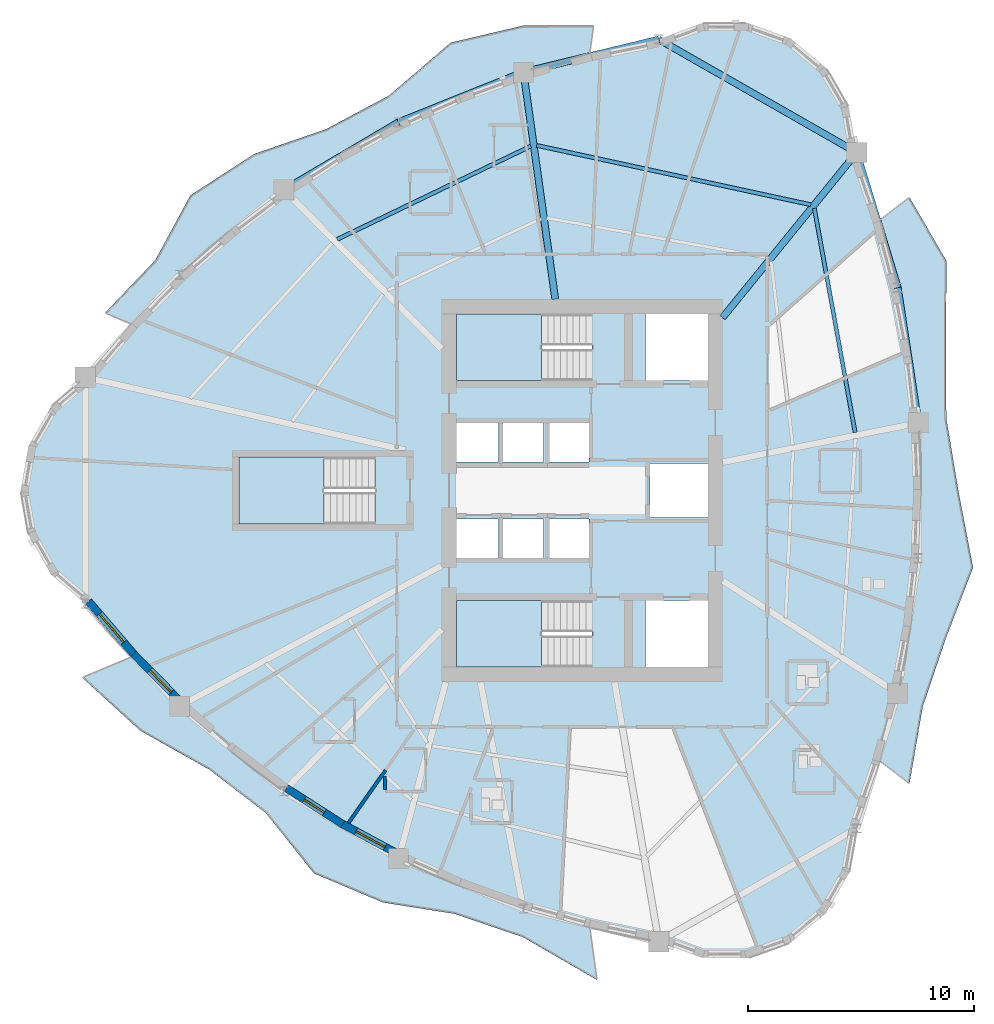
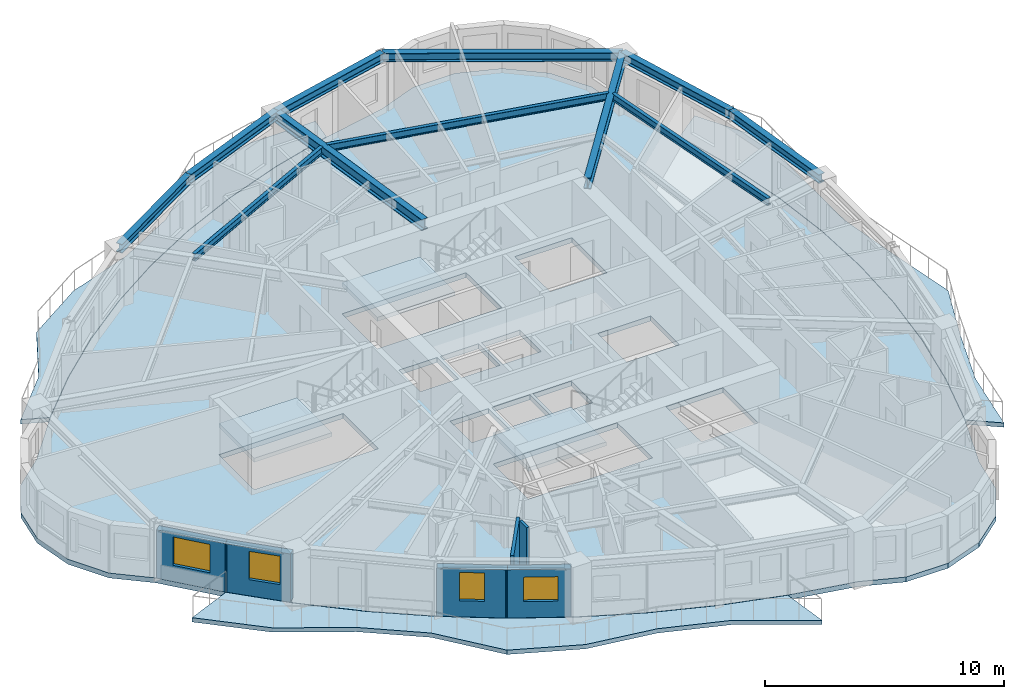
# One storey, part 2 of 13: 11 beams, 7 slabs, 6 walls, 4 windows, 4 openings, 3 elements without a shape of their own.
"""IFC4 building model written with IfcOpenShell, lengths in metres."""

from ifc_helpers import new_model, si_unit, direction, frame, frame_2d, origin, origin_2d, place, context, subcontext, project, spatial, polyline, rectangle, i_section, outline, extrude, source, transform, mapped, material, layer, layer_set, material_profile, profile_set, type_object, element, fill, aggregate, save


model = new_model("IFC4")

# Units and contexts
model_context = context("Model", 3, precision=1e-05, world=origin(), true_north=direction((0.0, 1.0)))
body_context = subcontext(model_context, "Body", "Model", "MODEL_VIEW")
ifc_project = project(units=[si_unit("LENGTHUNIT", "METRE"), si_unit("AREAUNIT", "SQUARE_METRE"), si_unit("VOLUMEUNIT", "CUBIC_METRE"), si_unit("PLANEANGLEUNIT", "RADIAN"), si_unit("MASSUNIT", "GRAM", prefix="KILO")], contexts=[model_context])

# Site, building, storey
site_placement = place(None, origin())
site = spatial("IfcSite", under=ifc_project, at=site_placement, CompositionType="ELEMENT")
building_placement = place(site_placement, origin())
building = spatial("IfcBuilding", under=site, at=building_placement, Name="Qafzar Sky-Pleat Residences", CompositionType="ELEMENT")
storey_placement = place(building_placement, frame((0.0, 0.0, 105.60009765625)))
storey = spatial("IfcBuildingStorey", under=building, at=storey_placement, Name="L31", CompositionType="ELEMENT", Elevation=105.60009765625)

# Beams
ifc_material_1 = material(Name="Steel S355", Category="steel")
ifc_material_profile_1 = material_profile(ifc_material_1, i_section(OverallWidth=0.300048828125, OverallDepth=0.449951171875, WebThickness=0.013916015625, FlangeThickness=0.02587890625, FilletRadius=0.027099609375, at=origin_2d()), Name="HEB 450")
ifc_profile_set_1 = profile_set([ifc_material_profile_1], Name="Steel S355")
beam_type_1 = type_object("IfcBeamType", Name="BM-SPAN-HEB450", PredefinedType="SPANDREL", material=ifc_profile_set_1)
shared_shape_1 = source(origin(), body_context, "Body", "SweptSolid", [
    extrude(i_section(OverallWidth=0.300048828125, OverallDepth=0.449951171875, WebThickness=0.013916015625, FlangeThickness=0.02587890625, FilletRadius=0.027099609375, at=origin_2d()), origin(), (0.0, 0.0, 1.0), 5.9443359375),
])
beam_1_placement = place(storey_placement, frame((27.761962890625, 44.473876953125, 2.7080078125), z_axis=(-0.927974486614, -0.372643733604, 0.0), x_axis=(0.372643733604, -0.927974486614, 0.0)))
element("IfcBeam", 1, at=beam_1_placement, inside=storey, type_object=beam_type_1, Name="L31 Perimeter Spandrel Beam 15", PredefinedType="SPANDREL", context=body_context, shape_type="MappedRepresentation", body=[
    mapped(shared_shape_1, transform((0.0, 0.0, 0.0), x_axis=(1.0, 0.0, 0.0), y_axis=(0.0, 1.0, 0.0), z_axis=(0.0, 0.0, 1.0), scale=1.0)),
])
shared_shape_2 = source(origin(), body_context, "Body", "SweptSolid", [
    extrude(i_section(OverallWidth=0.300048828125, OverallDepth=0.449951171875, WebThickness=0.013916015625, FlangeThickness=0.02587890625, FilletRadius=0.027099609375, at=origin_2d()), origin(), (0.0, 0.0, 1.0), 5.876708984375),
])
beam_2_placement = place(storey_placement, frame((22.245849609375, 42.2587890625, 2.7080078125), z_axis=(-0.861426491519, -0.507882269536, 0.0), x_axis=(0.507882269536, -0.861426491519, 0.0)))
element("IfcBeam", 2, at=beam_2_placement, inside=storey, type_object=beam_type_1, Name="L31 Perimeter Spandrel Beam 16", PredefinedType="SPANDREL", context=body_context, shape_type="MappedRepresentation", body=[
    mapped(shared_shape_2, transform((0.0, 0.0, 0.0), x_axis=(1.0, 0.0, 0.0), y_axis=(0.0, 1.0, 0.0), z_axis=(0.0, 0.0, 1.0), scale=1.0)),
])
shared_shape_3 = source(origin(), body_context, "Body", "SweptSolid", [
    extrude(i_section(OverallWidth=0.300048828125, OverallDepth=0.449951171875, WebThickness=0.013916015625, FlangeThickness=0.02587890625, FilletRadius=0.027099609375, at=origin_2d()), origin(), (0.0, 0.0, 1.0), 6.142333984375),
])
beam_3_placement = place(storey_placement, frame((33.731689453125, 45.919677734375, 2.7080078125), z_axis=(-0.971902480603, -0.235383874126, 0.0), x_axis=(0.235383874126, -0.971902480603, 0.0)))
element("IfcBeam", 3, at=beam_3_placement, inside=storey, type_object=beam_type_1, Name="L31 Perimeter Spandrel Beam 14", PredefinedType="SPANDREL", context=body_context, shape_type="MappedRepresentation", body=[
    mapped(shared_shape_3, transform((0.0, 0.0, 0.0), x_axis=(1.0, 0.0, 0.0), y_axis=(0.0, 1.0, 0.0), z_axis=(0.0, 0.0, 1.0), scale=1.0)),
])
shared_shape_4 = source(origin(), body_context, "Body", "SweptSolid", [
    extrude(i_section(OverallWidth=0.300048828125, OverallDepth=0.449951171875, WebThickness=0.013916015625, FlangeThickness=0.02587890625, FilletRadius=0.027099609375, at=origin_2d()), origin(), (0.0, 0.0, 1.0), 10.072509765625),
])
beam_4_placement = place(storey_placement, frame((42.4775390625, 40.92333984375, 2.7080078125), z_axis=(-0.868298326114, 0.496042353905, 0.0), x_axis=(-0.496042353905, -0.868298326114, 0.0)))
element("IfcBeam", 4, at=beam_4_placement, inside=storey, type_object=beam_type_1, Name="L31 Perimeter Spandrel Beam 13", PredefinedType="SPANDREL", context=body_context, shape_type="MappedRepresentation", body=[
    mapped(shared_shape_4, transform((0.0, 0.0, 0.0), x_axis=(1.0, 0.0, 0.0), y_axis=(0.0, 1.0, 0.0), z_axis=(0.0, 0.0, 1.0), scale=1.0)),
])
shared_shape_5 = source(origin(), body_context, "Body", "SweptSolid", [
    extrude(i_section(OverallWidth=0.300048828125, OverallDepth=0.449951171875, WebThickness=0.013916015625, FlangeThickness=0.02587890625, FilletRadius=0.027099609375, at=origin_2d()), origin(), (0.0, 0.0, 1.0), 6.239013671875),
])
beam_5_placement = place(storey_placement, frame((44.292236328125, 34.9541015625, 2.7080078125), z_axis=(-0.290864189028, 0.956764351103, 0.0), x_axis=(-0.956764351103, -0.290864189028, 0.0)))
element("IfcBeam", 5, at=beam_5_placement, inside=storey, type_object=beam_type_1, Name="L31 Perimeter Spandrel Beam 12", PredefinedType="SPANDREL", context=body_context, shape_type="MappedRepresentation", body=[
    mapped(shared_shape_5, transform((0.0, 0.0, 0.0), x_axis=(1.0, 0.0, 0.0), y_axis=(0.0, 1.0, 0.0), z_axis=(0.0, 0.0, 1.0), scale=1.0)),
])
shared_shape_6 = source(origin(), body_context, "Body", "SweptSolid", [
    extrude(i_section(OverallWidth=0.300048828125, OverallDepth=0.449951171875, WebThickness=0.013916015625, FlangeThickness=0.02587890625, FilletRadius=0.027099609375, at=origin_2d()), origin(), (0.0, 0.0, 1.0), 6.0380859375),
])
beam_6_placement = place(storey_placement, frame((45.199462890625, 28.984619140625, 2.7080078125), z_axis=(-0.150252132609, 0.988647711092, 0.0), x_axis=(-0.988647711092, -0.150252132609, 0.0)))
element("IfcBeam", 6, at=beam_6_placement, inside=storey, type_object=beam_type_1, Name="L31 Perimeter Spandrel Beam 11", PredefinedType="SPANDREL", context=body_context, shape_type="MappedRepresentation", body=[
    mapped(shared_shape_6, transform((0.0, 0.0, 0.0), x_axis=(1.0, 0.0, 0.0), y_axis=(0.0, 1.0, 0.0), z_axis=(0.0, 0.0, 1.0), scale=1.0)),
])
ifc_material_profile_2 = material_profile(ifc_material_1, i_section(OverallWidth=0.300048828125, OverallDepth=0.550048828125, WebThickness=0.014892578125, FlangeThickness=0.029052734375, FilletRadius=0.027099609375, at=origin_2d()), Name="HEB 550")
ifc_profile_set_2 = profile_set([ifc_material_profile_2], Name="Steel S355")
beam_type_2 = type_object("IfcBeamType", Name="BM-GIRD-HEB550", PredefinedType="BEAM", material=ifc_profile_set_2)
shared_shape_7 = source(origin(), body_context, "Body", "SweptSolid", [
    extrude(i_section(OverallWidth=0.300048828125, OverallDepth=0.550048828125, WebThickness=0.014892578125, FlangeThickness=0.029052734375, FilletRadius=0.027099609375, at=origin_2d()), origin(), (0.0, 0.0, 1.0), 9.398681640625),
])
beam_7_placement = place(storey_placement, frame((42.4775390625, 40.92333984375, 2.657958984375), z_axis=(-0.630666943609, -0.776053610415, 0.0), x_axis=(0.776053610415, -0.630666943609, 0.0)))
element("IfcBeam", 7, at=beam_7_placement, inside=storey, type_object=beam_type_2, Name="L31 Radial Floor Girder 13", PredefinedType="BEAM", context=body_context, shape_type="MappedRepresentation", body=[
    mapped(shared_shape_7, transform((0.0, 0.0, 0.0), x_axis=(1.0, 0.0, 0.0), y_axis=(0.0, 1.0, 0.0), z_axis=(0.0, 0.0, 1.0), scale=1.0)),
])
shared_shape_8 = source(origin(), body_context, "Body", "SweptSolid", [
    extrude(i_section(OverallWidth=0.300048828125, OverallDepth=0.550048828125, WebThickness=0.014892578125, FlangeThickness=0.029052734375, FilletRadius=0.027099609375, at=origin_2d()), origin(), (0.0, 0.0, 1.0), 10.121826171875),
])
beam_8_placement = place(storey_placement, frame((27.761962890625, 44.473876953125, 2.657958984375), z_axis=(0.138739631442, -0.99032889217, 0.0), x_axis=(0.99032889217, 0.138739631442, 0.0)))
element("IfcBeam", 8, at=beam_8_placement, inside=storey, type_object=beam_type_2, Name="L31 Radial Floor Girder 15", PredefinedType="BEAM", context=body_context, shape_type="MappedRepresentation", body=[
    mapped(shared_shape_8, transform((0.0, 0.0, 0.0), x_axis=(1.0, 0.0, 0.0), y_axis=(0.0, 1.0, 0.0), z_axis=(0.0, 0.0, 1.0), scale=1.0)),
])
ifc_material_profile_3 = material_profile(ifc_material_1, i_section(OverallWidth=0.169921875, OverallDepth=0.360107421875, WebThickness=0.008056640625, FlangeThickness=0.0126953125, FilletRadius=0.01806640625, at=origin_2d()), Name="IPE 360")
ifc_profile_set_3 = profile_set([ifc_material_profile_3], Name="Steel S355")
beam_type_3 = type_object("IfcBeamType", Name="BM-JST-IPE360", PredefinedType="JOIST", material=ifc_profile_set_3)
shared_shape_9 = source(origin(), body_context, "Body", "SweptSolid", [
    extrude(i_section(OverallWidth=0.169921875, OverallDepth=0.360107421875, WebThickness=0.008056640625, FlangeThickness=0.0126953125, FilletRadius=0.01806640625, at=origin_2d()), origin(), (0.0, 0.0, 1.0), 10.057861328125),
])
beam_9_placement = place(storey_placement, frame((42.407470703125, 28.561279296875, 2.7529296875), z_axis=(-0.179212248555, 0.98381043396, 0.0), x_axis=(-0.98381043396, -0.179212248555, 0.0)))
element("IfcBeam", 9, at=beam_9_placement, inside=storey, type_object=beam_type_3, Name="L31 Outer Secondary Floor Joist 6", PredefinedType="JOIST", context=body_context, shape_type="MappedRepresentation", body=[
    mapped(shared_shape_9, transform((0.0, 0.0, 0.0), x_axis=(1.0, 0.0, 0.0), y_axis=(0.0, 1.0, 0.0), z_axis=(0.0, 0.0, 1.0), scale=1.0)),
])
shared_shape_10 = source(origin(), body_context, "Body", "SweptSolid", [
    extrude(i_section(OverallWidth=0.169921875, OverallDepth=0.360107421875, WebThickness=0.008056640625, FlangeThickness=0.0126953125, FilletRadius=0.01806640625, at=origin_2d()), origin(), (0.0, 0.0, 1.0), 12.3857421875),
])
beam_10_placement = place(storey_placement, frame((40.44873046875, 38.617919921875, 2.7529296875), z_axis=(-0.977372880671, 0.211523644371, 0.0), x_axis=(-0.211523644371, -0.977372880671, 0.0)))
element("IfcBeam", 10, at=beam_10_placement, inside=storey, type_object=beam_type_3, Name="L31 Outer Secondary Floor Joist 7", PredefinedType="JOIST", context=body_context, shape_type="MappedRepresentation", body=[
    mapped(shared_shape_10, transform((0.0, 0.0, 0.0), x_axis=(1.0, 0.0, 0.0), y_axis=(0.0, 1.0, 0.0), z_axis=(0.0, 0.0, 1.0), scale=1.0)),
])
shared_shape_11 = source(origin(), body_context, "Body", "SweptSolid", [
    extrude(i_section(OverallWidth=0.169921875, OverallDepth=0.360107421875, WebThickness=0.008056640625, FlangeThickness=0.0126953125, FilletRadius=0.01806640625, at=origin_2d()), origin(), (0.0, 0.0, 1.0), 9.49658203125),
])
beam_11_placement = place(storey_placement, frame((28.089599609375, 41.20751953125, 2.7529296875), z_axis=(-0.900871742124, -0.434085365155, 0.0), x_axis=(0.434085365155, -0.900871742124, 0.0)))
element("IfcBeam", 11, at=beam_11_placement, inside=storey, type_object=beam_type_3, Name="L31 Outer Secondary Floor Joist 8", PredefinedType="JOIST", context=body_context, shape_type="MappedRepresentation", body=[
    mapped(shared_shape_11, transform((0.0, 0.0, 0.0), x_axis=(1.0, 0.0, 0.0), y_axis=(0.0, 1.0, 0.0), z_axis=(0.0, 0.0, 1.0), scale=1.0)),
])

# Slabs
ifc_material_2 = material(Name="Concrete C40/50", Category="concrete")
ifc_layer_1 = layer(ifc_material_2, 0.219970703125)
ifc_layer_set_1 = layer_set([ifc_layer_1], Name="Concrete C40/50")
slab_type_1 = type_object("IfcSlabType", Name="SLAB-BAL-220", PredefinedType="USERDEFINED", material=ifc_layer_set_1)
slab_1_placement = place(storey_placement, frame((0.0, 0.0, -0.22021484375)))
element("IfcSlab", 12, at=slab_1_placement, inside=storey, type_object=slab_type_1, Name="L31 Pleated Stone Balcony 1", ObjectType="BALCONY", PredefinedType="USERDEFINED", context=body_context, shape_type="SweptSolid", body=[
    extrude(outline(polyline([(44.302734375, 17.040283203125), (44.87060546875, 20.026611328125), (45.211181640625, 23.01318359375), (45.324951171875, 26.0), (45.211181640625, 28.98681640625), (44.87060546875, 31.973388671875), (44.302734375, 34.959716796875), (43.5078125, 37.94580078125), (44.805419921875, 38.945556640625), (46.439208984375, 36.134033203125), (46.414794921875, 32.52001953125), (46.43115234375, 29.198486328125), (46.962890625, 26.0), (47.61328125, 22.596435546875), (46.414794921875, 19.47998046875), (45.3876953125, 16.44384765625), (44.805419921875, 13.054443359375), (43.5078125, 14.05419921875), (44.302734375, 17.040283203125)])), origin(), (0.0, 0.0, 1.0), 0.22021484375),
])
slab_2_placement = place(storey_placement, frame((0.0, 0.0, -0.22021484375)))
element("IfcSlab", 13, at=slab_2_placement, inside=storey, type_object=slab_type_1, Name="L31 Pleated Stone Balcony 2", ObjectType="BALCONY", PredefinedType="USERDEFINED", context=body_context, shape_type="SweptSolid", body=[
    extrude(outline(polyline([(27.76171875, 44.48583984375), (24.9453125, 43.474365234375), (22.241943359375, 42.27001953125), (19.652099609375, 40.873046875), (17.17578125, 39.283447265625), (14.813232421875, 37.501220703125), (12.564453125, 35.5263671875), (10.42919921875, 33.35888671875), (9.287353515625, 33.837158203125), (11.510986328125, 36.176513671875), (13.056640625, 39.033203125), (15.888427734375, 40.86328125), (19.046142578125, 41.95263671875), (21.828857421875, 43.437255859375), (24.5439453125, 45.770263671875), (27.735595703125, 46.523681640625), (30.86279296875, 46.531005859375), (30.69189453125, 45.304931640625), (27.76171875, 44.48583984375)])), origin(), (0.0, 0.0, 1.0), 0.22021484375),
])
slab_3_placement = place(storey_placement, frame((0.0, 0.0, -0.22021484375)))
element("IfcSlab", 14, at=slab_3_placement, inside=storey, type_object=slab_type_1, Name="L31 Pleated Stone Balcony 3", ObjectType="BALCONY", PredefinedType="USERDEFINED", context=body_context, shape_type="SweptSolid", body=[
    extrude(outline(polyline([(12.564453125, 16.4736328125), (14.813232421875, 14.498779296875), (17.17578125, 12.716552734375), (19.652099609375, 11.126953125), (22.241943359375, 9.72998046875), (24.9453125, 8.525634765625), (27.76171875, 7.51416015625), (30.69189453125, 6.695068359375), (31.013916015625, 4.38671875), (27.745849609375, 6.276123046875), (24.73193359375, 7.30615234375), (21.56201171875, 7.80859375), (18.51123046875, 9.094482421875), (16.393798828125, 11.7568359375), (13.88037109375, 13.685302734375), (10.830078125, 15.4033203125), (8.279541015625, 17.74072265625), (10.42919921875, 18.64111328125), (12.564453125, 16.4736328125)])), origin(), (0.0, 0.0, 1.0), 0.22021484375),
])
ifc_layer_2 = layer(ifc_material_2, 0.25)
ifc_layer_set_2 = layer_set([ifc_layer_2], Name="Concrete C40/50")
slab_type_2 = type_object("IfcSlabType", Name="SLAB-FLR-250", PredefinedType="FLOOR", material=ifc_layer_set_2)
slab_4_placement = place(storey_placement, frame((0.0, 0.0, -0.25)))
element("IfcSlab", 15, at=slab_4_placement, inside=storey, type_object=slab_type_2, Name="L31 Structural Floor Slab", PredefinedType="FLOOR", context=body_context, shape_type="SweptSolid", body=[
    extrude(outline(polyline([(8.41943359375, 30.996337890625), (6.899658203125, 29.701171875), (5.908935546875, 27.967041015625), (5.565185546875, 26.0), (5.908935546875, 24.032958984375), (6.899658203125, 22.298828125), (8.41943359375, 21.003662109375), (10.4404296875, 18.645751953125), (12.57470703125, 16.47998046875), (14.822265625, 14.5068359375), (17.18359375, 12.725830078125), (19.657958984375, 11.137451171875), (22.245849609375, 9.7412109375), (24.947265625, 8.53759765625), (27.761962890625, 7.526123046875), (30.690185546875, 6.70703125), (33.731689453125, 6.080322265625), (35.626953125, 5.37255859375), (37.64990234375, 5.35888671875), (39.5546875, 6.04052734375), (41.109130859375, 7.3349609375), (42.124755859375, 9.084716796875), (42.4775390625, 11.07666015625), (43.498291015625, 14.061279296875), (44.292236328125, 17.0458984375), (44.859375, 20.03076171875), (45.199462890625, 23.015380859375), (45.31298828125, 26.0), (45.199462890625, 28.984619140625), (44.859375, 31.96923828125), (44.292236328125, 34.9541015625), (43.498291015625, 37.938720703125), (42.4775390625, 40.92333984375), (42.124755859375, 42.915283203125), (41.109130859375, 44.6650390625), (39.5546875, 45.95947265625), (37.64990234375, 46.64111328125), (35.626953125, 46.62744140625), (33.731689453125, 45.919677734375), (30.690185546875, 45.29296875), (27.761962890625, 44.473876953125), (24.947265625, 43.46240234375), (22.245849609375, 42.2587890625), (19.657958984375, 40.862548828125), (17.18359375, 39.274169921875), (14.822265625, 37.4931640625), (12.57470703125, 35.52001953125), (10.4404296875, 33.354248046875), (8.41943359375, 30.996337890625)]), holes=[polyline([(30.797119140625, 21.14990234375), (24.800048828125, 21.14990234375), (24.800048828125, 18.199951171875), (30.797119140625, 18.199951171875), (30.797119140625, 21.14990234375)]), polyline([(30.797119140625, 33.800048828125), (24.800048828125, 33.800048828125), (24.800048828125, 30.85009765625), (30.797119140625, 30.85009765625), (30.797119140625, 33.800048828125)]), polyline([(21.197021484375, 27.47509765625), (15.199951171875, 27.47509765625), (15.199951171875, 24.52490234375), (21.197021484375, 24.52490234375), (21.197021484375, 27.47509765625)]), polyline([(24.800048828125, 22.949951171875), (26.64990234375, 22.949951171875), (26.64990234375, 24.75), (24.800048828125, 24.75), (24.800048828125, 22.949951171875)]), polyline([(26.800048828125, 22.949951171875), (28.64990234375, 22.949951171875), (28.64990234375, 24.75), (26.800048828125, 24.75), (26.800048828125, 22.949951171875)]), polyline([(28.800048828125, 22.949951171875), (30.64990234375, 22.949951171875), (30.64990234375, 24.75), (28.800048828125, 24.75), (28.800048828125, 22.949951171875)]), polyline([(24.800048828125, 27.25), (26.64990234375, 27.25), (26.64990234375, 29.050048828125), (24.800048828125, 29.050048828125), (24.800048828125, 27.25)]), polyline([(26.800048828125, 27.25), (28.64990234375, 27.25), (28.64990234375, 29.050048828125), (26.800048828125, 29.050048828125), (26.800048828125, 27.25)]), polyline([(28.800048828125, 27.25), (30.64990234375, 27.25), (30.64990234375, 29.050048828125), (28.800048828125, 29.050048828125), (28.800048828125, 27.25)]), polyline([(33.14990234375, 18.199951171875), (35.89990234375, 18.199951171875), (35.89990234375, 21.14990234375), (33.14990234375, 21.14990234375), (33.14990234375, 18.199951171875)]), polyline([(33.14990234375, 30.85009765625), (35.89990234375, 30.85009765625), (35.89990234375, 33.800048828125), (33.14990234375, 33.800048828125), (33.14990234375, 30.85009765625)]), polyline([(33.35009765625, 24.800048828125), (35.89990234375, 24.800048828125), (35.89990234375, 27.199951171875), (33.35009765625, 27.199951171875), (33.35009765625, 24.800048828125)])]), origin(), (0.0, 0.0, 1.0), 0.25),
])

# Stair, slab
stair_type = type_object("IfcStairType", Name="STAIR-H320", PredefinedType="HALF_TURN_STAIR", material=ifc_material_2)
stair_1_placement = place(storey_placement, origin())
stair_1 = element("IfcStair", 16, at=stair_1_placement, inside=storey, type_object=stair_type, Name="L31 Protected Exit Stair ST1", PredefinedType="HALF_TURN_STAIR")
ifc_layer_3 = layer(ifc_material_2, 0.199951171875)
ifc_layer_set_3 = layer_set([ifc_layer_3], Name="Concrete C40/50")
slab_type_3 = type_object("IfcSlabType", Name="SLAB-LANDING-200", PredefinedType="LANDING", material=ifc_layer_set_3)
slab_5_placement = place(storey_placement, frame((0.0, 0.0, 1.39990234375)))
slab_5 = element("IfcSlab", 17, at=slab_5_placement, type_object=slab_type_3, Name="ST1 landing 1", PredefinedType="LANDING", context=body_context, shape_type="SweptSolid", body=[
    extrude(outline(polyline([(28.56005859375, 21.14990234375), (24.800048828125, 21.14990234375), (24.800048828125, 18.199951171875), (28.56005859375, 18.199951171875), (28.56005859375, 21.14990234375)])), origin(), (0.0, 0.0, 1.0), 0.199951171875),
])
aggregate(stair_1, [slab_5])

stair_2_placement = place(storey_placement, origin())
stair_2 = element("IfcStair", 18, at=stair_2_placement, inside=storey, type_object=stair_type, Name="L31 Protected Exit Stair ST2", PredefinedType="HALF_TURN_STAIR")
slab_6_placement = place(storey_placement, frame((0.0, 0.0, 1.39990234375)))
slab_6 = element("IfcSlab", 19, at=slab_6_placement, type_object=slab_type_3, Name="ST2 landing 1", PredefinedType="LANDING", context=body_context, shape_type="SweptSolid", body=[
    extrude(outline(polyline([(28.56005859375, 33.800048828125), (24.800048828125, 33.800048828125), (24.800048828125, 30.85009765625), (28.56005859375, 30.85009765625), (28.56005859375, 33.800048828125)])), origin(), (0.0, 0.0, 1.0), 0.199951171875),
])
aggregate(stair_2, [slab_6])

stair_3_placement = place(storey_placement, origin())
stair_3 = element("IfcStair", 20, at=stair_3_placement, inside=storey, type_object=stair_type, Name="L31 Protected Exit Stair ST3", PredefinedType="HALF_TURN_STAIR")
slab_7_placement = place(storey_placement, frame((0.0, 0.0, 1.39990234375)))
slab_7 = element("IfcSlab", 21, at=slab_7_placement, type_object=slab_type_3, Name="ST3 landing 1", PredefinedType="LANDING", context=body_context, shape_type="SweptSolid", body=[
    extrude(outline(polyline([(18.9599609375, 27.47509765625), (15.199951171875, 27.47509765625), (15.199951171875, 24.52490234375), (18.9599609375, 24.52490234375), (18.9599609375, 27.47509765625)])), origin(), (0.0, 0.0, 1.0), 0.199951171875),
])
aggregate(stair_3, [slab_7])

# Walls
ifc_material_3 = material(Name="Acoustic gypsum plasterboard partition", Category="gypsum")
ifc_layer_4 = layer(ifc_material_3, 0.14501953125)
ifc_layer_set_4 = layer_set([ifc_layer_4], Name="Acoustic gypsum plasterboard partition")
wall_type_1 = type_object("IfcWallType", Name="PART-UNIT-145", PredefinedType="PARTITIONING", material=ifc_layer_set_4)
wall_1_placement = place(storey_placement, frame((20.04443359375, 11.333984375, 0.0), z_axis=(0.0, 0.0, 1.0), x_axis=(0.575027113175, 0.818134352728, 0.0)))
element("IfcWall", 22, at=wall_1_placement, inside=storey, type_object=wall_type_1, Name="L31 Partition Wall PART-L31-PW-054", PredefinedType="PARTITIONING", context=body_context, shape_type="SweptSolid", body=[
    extrude(rectangle(XDim=2.81494140625, YDim=0.14501953125, at=frame_2d((1.407470703125, 0.0))), origin(), (0.0, 0.0, 1.0), 2.934814453125),
])
ifc_material_4 = material(Name="Moisture-resistant gypsum partition", Category="gypsum")
ifc_layer_5 = layer(ifc_material_4, 0.1298828125)
ifc_layer_set_5 = layer_set([ifc_layer_5], Name="Moisture-resistant gypsum partition")
wall_type_2 = type_object("IfcWallType", Name="PART-WET-130", PredefinedType="PARTITIONING", material=ifc_layer_set_5)
wall_2_placement = place(storey_placement, frame((21.64794921875, 12.7890625, 0.0), z_axis=(0.0, 0.0, 1.0), x_axis=(0.0, 1.0, 0.0)))
element("IfcWall", 23, at=wall_2_placement, inside=storey, type_object=wall_type_2, Name="L31 Partition Wall PART-L31-PW-085", PredefinedType="PARTITIONING", context=body_context, shape_type="SweptSolid", body=[
    extrude(rectangle(XDim=0.600341796875, YDim=0.1298828125, at=frame_2d((0.30029296875, 0.0))), origin(), (0.0, 0.0, 1.0), 2.934814453125),
])

# Wall, opening, window
ifc_material_5 = material(Name="Precast concrete C40/50 with honed Riyadh limestone", Category="concrete")
ifc_layer_6 = layer(ifc_material_5, 0.340087890625)
ifc_layer_set_6 = layer_set([ifc_layer_6], Name="Precast concrete C40/50 with honed Riyadh limestone")
wall_type_3 = type_object("IfcWallType", Name="WALL-EXT-340", PredefinedType="SOLIDWALL", material=ifc_layer_set_6)
wall_3_placement = place(storey_placement, frame((8.5615234375, 21.09912109375, 0.0), z_axis=(0.0, 0.0, 1.0), x_axis=(0.650778499588, -0.75926763692, 0.0)))
wall_3 = element("IfcWall", 24, at=wall_3_placement, inside=storey, type_object=wall_type_3, Name="L31 Limestone Facade Wall 7", PredefinedType="SOLIDWALL", context=body_context, shape_type="SweptSolid", body=[
    extrude(rectangle(XDim=3.12353515625, YDim=0.340087890625, at=frame_2d((1.561767578125, 0.0))), origin(), (0.0, 0.0, 1.0), 2.46484375),
])
opening_1_placement = place(wall_3_placement, frame((0.726806640625, 0.0, 0.820068359375)))
opening_1 = element("IfcOpeningElement", 25, at=opening_1_placement, cuts=wall_3, Name="Opening WN-02", PredefinedType="OPENING", context=body_context, shape_type="SweptSolid", body=[
    extrude(rectangle(XDim=1.64990234375, YDim=1.449951171875, at=frame_2d((0.824951171875, 0.72509765625))), frame((0.0, 0.18017578125, 0.0), z_axis=(0.0, -1.0, 0.0), x_axis=(1.0, 0.0, 0.0)), (0.0, 0.0, 1.0), 0.360107421875),
])
ifc_material_6 = material(Name="Solar-control low-E glass in bronze aluminium frame", Category="glass")
window_type_1 = type_object("IfcWindowType", Name="WIN-02", PartitioningType="DOUBLE_PANEL_VERTICAL", PredefinedType="WINDOW", material=ifc_material_6)
shared_shape_12 = source(origin(), body_context, "Body", "SweptSolid", [
    extrude(rectangle(XDim=1.64990234375, YDim=1.449951171875, at=frame_2d((0.824951171875, 0.72509765625))), frame((0.0, 0.030029296875, 0.0), z_axis=(0.0, -1.0, 0.0), x_axis=(1.0, 0.0, 0.0)), (0.0, 0.0, 1.0), 0.06005859375),
])
window_1_placement = place(opening_1_placement, origin())
window_1 = element("IfcWindow", 26, at=window_1_placement, inside=storey, type_object=window_type_1, Name="L31 Punched Facade Window 07", OverallHeight=1.449951171875, OverallWidth=1.64990234375, PartitioningType="SINGLE_PANEL", PredefinedType="WINDOW", context=body_context, shape_type="MappedRepresentation", body=[
    mapped(shared_shape_12, transform((0.0, 0.0, 0.0), x_axis=(1.0, 0.0, 0.0), y_axis=(0.0, 1.0, 0.0), z_axis=(0.0, 0.0, 1.0), scale=1.0)),
])
fill(opening_1, window_1)

wall_4_placement = place(storey_placement, frame((10.534912109375, 18.7919921875, 0.0), z_axis=(0.0, 0.0, 1.0), x_axis=(0.701902141766, -0.7122733909, 0.0)))
wall_4 = element("IfcWall", 27, at=wall_4_placement, inside=storey, type_object=wall_type_3, Name="L31 Limestone Facade Wall 8", PredefinedType="SOLIDWALL", context=body_context, shape_type="SweptSolid", body=[
    extrude(rectangle(XDim=2.848388671875, YDim=0.340087890625, at=frame_2d((1.42431640625, 0.0))), origin(), (0.0, 0.0, 1.0), 2.46484375),
])
opening_2_placement = place(wall_4_placement, frame((1.029052734375, 0.0, 0.820068359375)))
opening_2 = element("IfcOpeningElement", 28, at=opening_2_placement, cuts=wall_4, Name="Opening WN-04", PredefinedType="OPENING", context=body_context, shape_type="SweptSolid", body=[
    extrude(rectangle(XDim=1.35009765625, YDim=1.449951171875, at=frame_2d((0.675048828125, 0.72509765625))), frame((0.0, 0.18017578125, 0.0), z_axis=(0.0, -1.0, 0.0), x_axis=(1.0, 0.0, 0.0)), (0.0, 0.0, 1.0), 0.360107421875),
])
window_type_2 = type_object("IfcWindowType", Name="WIN-04", PartitioningType="SINGLE_PANEL", PredefinedType="WINDOW", material=ifc_material_6)
shared_shape_13 = source(origin(), body_context, "Body", "SweptSolid", [
    extrude(rectangle(XDim=1.35009765625, YDim=1.449951171875, at=frame_2d((0.675048828125, 0.72509765625))), frame((0.0, 0.030029296875, 0.0), z_axis=(0.0, -1.0, 0.0), x_axis=(1.0, 0.0, 0.0)), (0.0, 0.0, 1.0), 0.06005859375),
])
window_2_placement = place(opening_2_placement, origin())
window_2 = element("IfcWindow", 29, at=window_2_placement, inside=storey, type_object=window_type_2, Name="L31 Punched Facade Window 08-2", OverallHeight=1.449951171875, OverallWidth=1.35009765625, PartitioningType="SINGLE_PANEL", PredefinedType="WINDOW", context=body_context, shape_type="MappedRepresentation", body=[
    mapped(shared_shape_13, transform((0.0, 0.0, 0.0), x_axis=(1.0, 0.0, 0.0), y_axis=(0.0, 1.0, 0.0), z_axis=(0.0, 0.0, 1.0), scale=1.0)),
])
fill(opening_2, window_2)

wall_5_placement = place(storey_placement, frame((17.292236328125, 12.858154296875, 0.0), z_axis=(0.0, 0.0, 1.0), x_axis=(0.841524200167, -0.540219418878, 0.0)))
wall_5 = element("IfcWall", 30, at=wall_5_placement, inside=storey, type_object=wall_type_3, Name="L31 Limestone Facade Wall 11", PredefinedType="SOLIDWALL", context=body_context, shape_type="SweptSolid", body=[
    extrude(rectangle(XDim=2.958251953125, YDim=0.340087890625, at=frame_2d((1.47900390625, 0.0))), origin(), (0.0, 0.0, 1.0), 2.46484375),
])
opening_3_placement = place(wall_5_placement, frame((0.944091796875, 0.0, 0.820068359375)))
opening_3 = element("IfcOpeningElement", 31, at=opening_3_placement, cuts=wall_5, Name="Opening WN-06", PredefinedType="OPENING", context=body_context, shape_type="SweptSolid", body=[
    extrude(rectangle(XDim=1.050048828125, YDim=1.449951171875, at=frame_2d((0.52490234375, 0.72509765625))), frame((0.0, 0.18017578125, 0.0), z_axis=(0.0, -1.0, 0.0), x_axis=(1.0, 0.0, 0.0)), (0.0, 0.0, 1.0), 0.360107421875),
])
window_type_3 = type_object("IfcWindowType", Name="WIN-06", PartitioningType="SINGLE_PANEL", PredefinedType="WINDOW", material=ifc_material_6)
shared_shape_14 = source(origin(), body_context, "Body", "SweptSolid", [
    extrude(rectangle(XDim=1.050048828125, YDim=1.449951171875, at=frame_2d((0.52490234375, 0.72509765625))), frame((0.0, 0.030029296875, 0.0), z_axis=(0.0, -1.0, 0.0), x_axis=(1.0, 0.0, 0.0)), (0.0, 0.0, 1.0), 0.06005859375),
])
window_3_placement = place(opening_3_placement, origin())
window_3 = element("IfcWindow", 32, at=window_3_placement, inside=storey, type_object=window_type_3, Name="L31 Punched Facade Window 11", OverallHeight=1.449951171875, OverallWidth=1.050048828125, PartitioningType="SINGLE_PANEL", PredefinedType="WINDOW", context=body_context, shape_type="MappedRepresentation", body=[
    mapped(shared_shape_14, transform((0.0, 0.0, 0.0), x_axis=(1.0, 0.0, 0.0), y_axis=(0.0, 1.0, 0.0), z_axis=(0.0, 0.0, 1.0), scale=1.0)),
])
fill(opening_3, window_3)

wall_6_placement = place(storey_placement, frame((19.705322265625, 11.30517578125, 0.0), z_axis=(0.0, 0.0, 1.0), x_axis=(0.880065774925, -0.474851799834, 0.0)))
wall_6 = element("IfcWall", 33, at=wall_6_placement, inside=storey, type_object=wall_type_3, Name="L31 Limestone Facade Wall 12", PredefinedType="SOLIDWALL", context=body_context, shape_type="SweptSolid", body=[
    extrude(rectangle(XDim=2.74853515625, YDim=0.340087890625, at=frame_2d((1.374267578125, 0.0))), origin(), (0.0, 0.0, 1.0), 2.46484375),
])
opening_4_placement = place(wall_6_placement, frame((0.755126953125, 0.0, 0.820068359375)))
opening_4 = element("IfcOpeningElement", 34, at=opening_4_placement, cuts=wall_6, Name="Opening WN-15", PredefinedType="OPENING", context=body_context, shape_type="SweptSolid", body=[
    extrude(rectangle(XDim=1.449951171875, YDim=1.25, at=frame_2d((0.72509765625, 0.625))), frame((0.0, 0.18017578125, 0.0), z_axis=(0.0, -1.0, 0.0), x_axis=(1.0, 0.0, 0.0)), (0.0, 0.0, 1.0), 0.360107421875),
])
window_type_4 = type_object("IfcWindowType", Name="WIN-15", PartitioningType="SINGLE_PANEL", PredefinedType="WINDOW", material=ifc_material_6)
shared_shape_15 = source(origin(), body_context, "Body", "SweptSolid", [
    extrude(rectangle(XDim=1.449951171875, YDim=1.25, at=frame_2d((0.72509765625, 0.625))), frame((0.0, 0.030029296875, 0.0), z_axis=(0.0, -1.0, 0.0), x_axis=(1.0, 0.0, 0.0)), (0.0, 0.0, 1.0), 0.06005859375),
])
window_4_placement = place(opening_4_placement, origin())
window_4 = element("IfcWindow", 35, at=window_4_placement, inside=storey, type_object=window_type_4, Name="L31 Punched Facade Window 12", OverallHeight=1.25, OverallWidth=1.449951171875, PartitioningType="SINGLE_PANEL", PredefinedType="WINDOW", context=body_context, shape_type="MappedRepresentation", body=[
    mapped(shared_shape_15, transform((0.0, 0.0, 0.0), x_axis=(1.0, 0.0, 0.0), y_axis=(0.0, 1.0, 0.0), z_axis=(0.0, 0.0, 1.0), scale=1.0)),
])
fill(opening_4, window_4)

save(model, "model.ifc")
